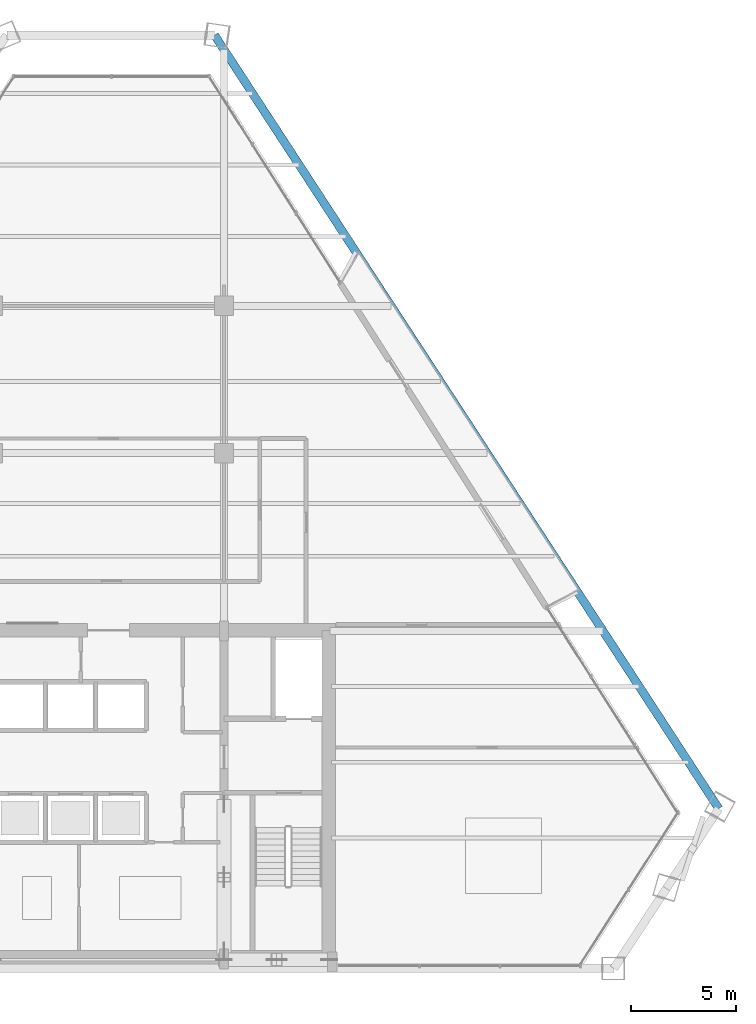
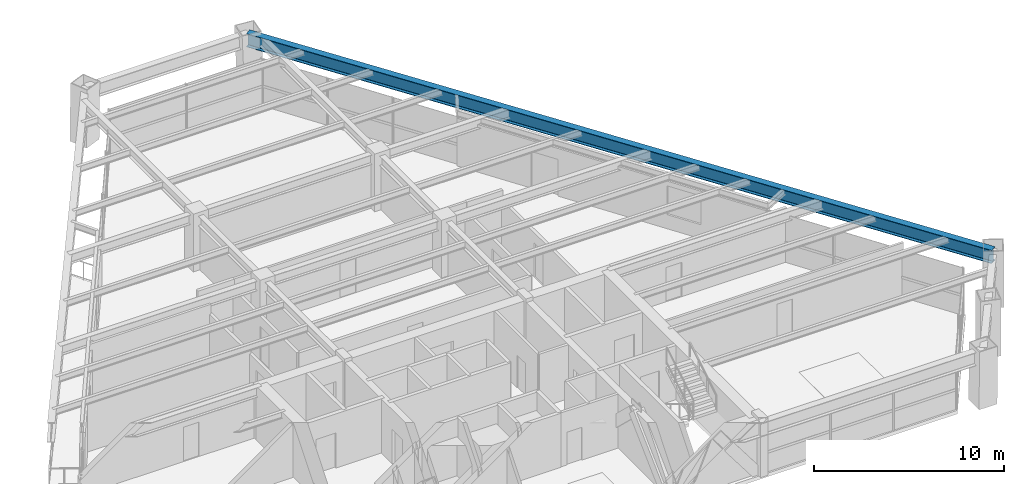
# One storey, part 7 of 16: 1 beam.
"""IFC4 building model written with IfcOpenShell, lengths in metres."""

from ifc_helpers import new_model, si_unit, direction, frame, origin, origin_2d, place, context, subcontext, project, spatial, i_section, extrude, source, transform, mapped, material, material_profile, profile_set, type_object, element, save


model = new_model("IFC4")

# Units and contexts
model_context = context("Model", 3, precision=1e-05, world=origin(), true_north=direction((0.0, 1.0)))
body_context = subcontext(model_context, "Body", "Model", "MODEL_VIEW")
ifc_project = project(units=[si_unit("LENGTHUNIT", "METRE"), si_unit("AREAUNIT", "SQUARE_METRE"), si_unit("VOLUMEUNIT", "CUBIC_METRE"), si_unit("PLANEANGLEUNIT", "RADIAN"), si_unit("MASSUNIT", "GRAM", prefix="KILO")], contexts=[model_context])

# Site, building, storey
site_placement = place(None, origin())
site = spatial("IfcSite", under=ifc_project, at=site_placement, CompositionType="ELEMENT")
building_placement = place(site_placement, origin())
building = spatial("IfcBuilding", under=site, at=building_placement, Name="Varnakhor Terracotta Tower", CompositionType="ELEMENT")
storey_placement = place(building_placement, frame((0.0, 0.0, 151.5)))
storey = spatial("IfcBuildingStorey", under=building, at=storey_placement, Name="L38", CompositionType="ELEMENT", Elevation=151.5)

# Beam
ifc_material = material(Name="Steel S355", Category="steel")
ifc_material_profile = material_profile(ifc_material, i_section(OverallWidth=0.39990234375, OverallDepth=0.85498046875, WebThickness=0.01806640625, FlangeThickness=0.029052734375, FilletRadius=0.01806640625, at=origin_2d()), Name="W33X201")
ifc_profile_set = profile_set([ifc_material_profile], Name="Steel S355")
beam_type = type_object("IfcBeamType", Name="BM-W33X201", PredefinedType="BEAM", material=ifc_profile_set)
shared_shape = source(origin(), body_context, "Body", "SweptSolid", [
    extrude(i_section(OverallWidth=0.39990234375, OverallDepth=0.85498046875, WebThickness=0.01806640625, FlangeThickness=0.029052734375, FilletRadius=0.01806640625, at=origin_2d()), origin(), (0.0, 0.0, 1.0), 43.90087890625),
])
beam_placement = place(storey_placement, frame((29.02587890625, 7.595703125, 3.04248046875), z_axis=(-0.546129009354, 0.837701083408, 0.0), x_axis=(-0.837701083408, -0.546129009354, 0.0)))
element("IfcBeam", 1, at=beam_placement, inside=storey, type_object=beam_type, Name="L38 Perimeter Spandrel 4", PredefinedType="BEAM", context=body_context, shape_type="MappedRepresentation", body=[
    mapped(shared_shape, transform((0.0, 0.0, 0.0), scale=1.0)),
])

save(model, "model.ifc")
